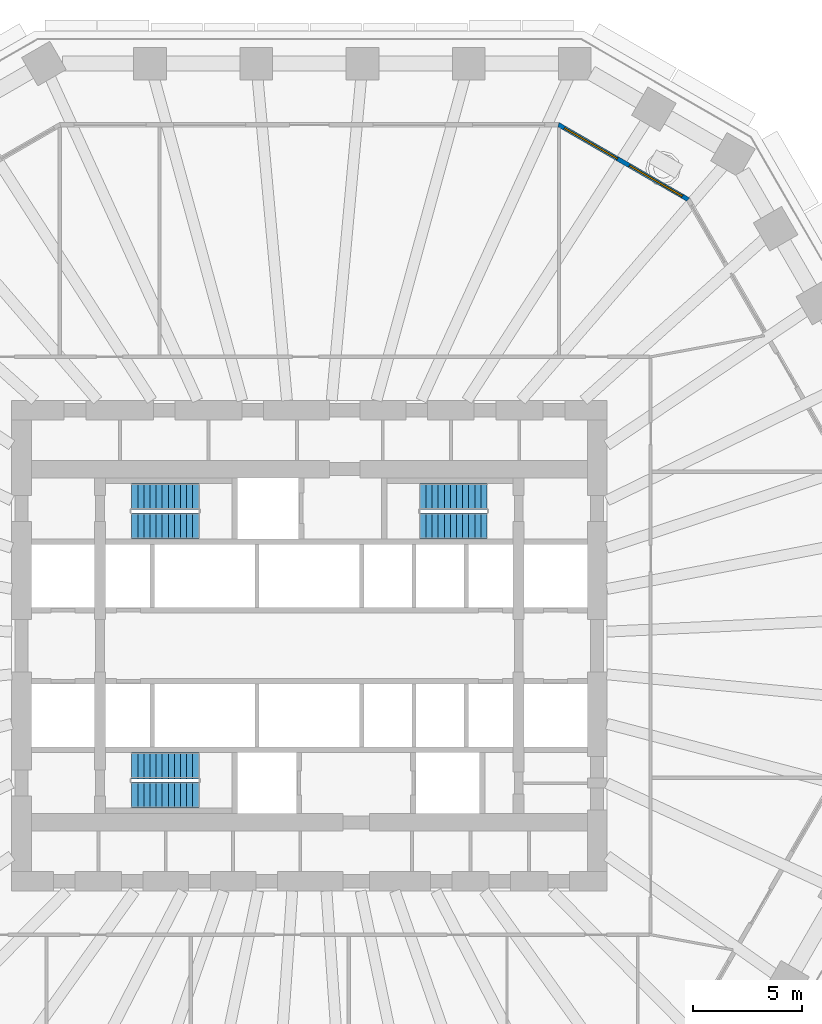
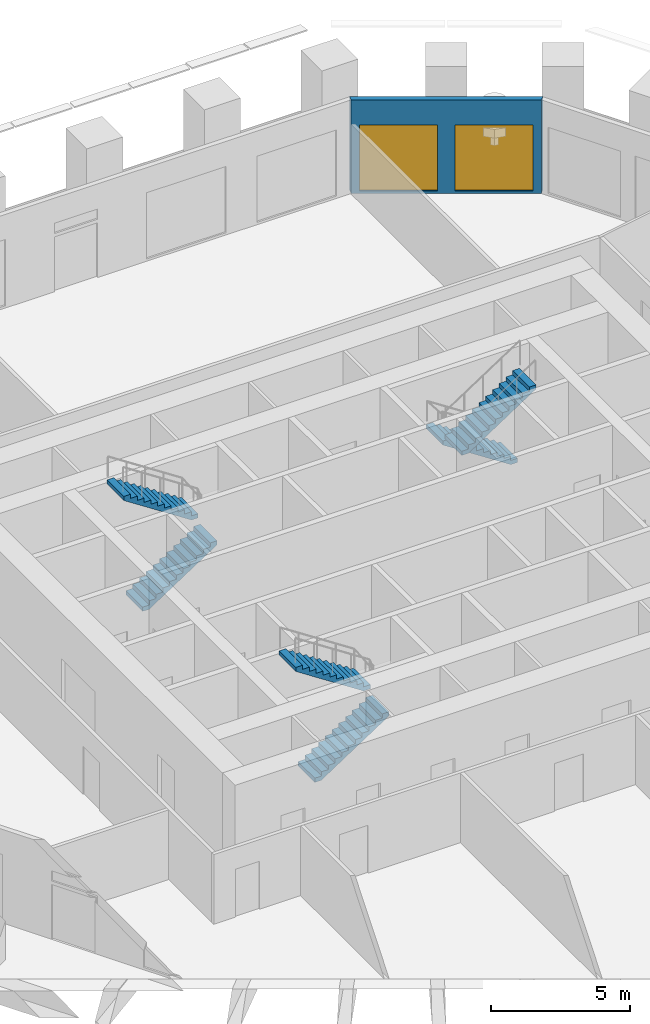
# One storey, part 8 of 12: 6 stair flights, 2 windows, 1 wall, 2 openings, 3 elements without a shape of their own.
"""IFC4 building model written with IfcOpenShell, lengths in metres."""

from ifc_helpers import new_model, si_unit, direction, frame, frame_2d, origin, place, context, subcontext, project, spatial, polyline, rectangle, outline, extrude, material, layer, layer_set, type_object, element, fill, aggregate, save


model = new_model("IFC4")

# Units and contexts
model_context = context("Model", 3, precision=1e-05, world=origin(), true_north=direction((0.0, 1.0)))
body_context = subcontext(model_context, "Body", "Model", "MODEL_VIEW")
ifc_project = project(units=[si_unit("LENGTHUNIT", "METRE"), si_unit("AREAUNIT", "SQUARE_METRE"), si_unit("VOLUMEUNIT", "CUBIC_METRE"), si_unit("PLANEANGLEUNIT", "RADIAN"), si_unit("MASSUNIT", "GRAM", prefix="KILO")], contexts=[model_context])

# Site, building, storey
site_placement = place(None, origin())
site = spatial("IfcSite", under=ifc_project, at=site_placement, CompositionType="ELEMENT")
building_placement = place(site_placement, origin())
building = spatial("IfcBuilding", under=site, at=building_placement, Name="Frailejon Research Tower", CompositionType="ELEMENT")
storey_placement = place(building_placement, frame((0.0, 0.0, 58.60009765625)))
storey = spatial("IfcBuildingStorey", under=building, at=storey_placement, Name="L13", CompositionType="ELEMENT", Elevation=58.60009765625)

# Wall, openings, windows
ifc_material_1 = material(Name="Concrete C40/50 precast window wall panel", Category="concrete")
ifc_layer_1 = layer(ifc_material_1, 0.199951171875)
ifc_layer_set_1 = layer_set([ifc_layer_1], Name="Window wall 200")
wall_type = type_object("IfcWallType", Name="Window wall 200", PredefinedType="SOLIDWALL", material=ifc_layer_set_1)
wall_placement = place(storey_placement, frame((17.3798828125, 20.462646484375, 0.0), z_axis=(0.0, 0.0, 1.0), x_axis=(-0.866029458321, 0.49999297727, 0.0)))
wall = element("IfcWall", 1, at=wall_placement, inside=storey, type_object=wall_type, Name="Exterior wall L13", PredefinedType="SOLIDWALL", context=body_context, shape_type="SweptSolid", body=[
    extrude(outline(polyline([(-0.02685546875, -0.10009765625), (1.1279296875, -0.10009765625), (2.282470703125, -0.10009765625), (3.437255859375, -0.10009765625), (4.592041015625, -0.10009765625), (5.74658203125, -0.10009765625), (6.9013671875, -0.10009765625), (6.84765625, 0.10009765625), (5.7109375, 0.10009765625), (4.573974609375, 0.10009765625), (3.437255859375, 0.10009765625), (2.300537109375, 0.10009765625), (1.16357421875, 0.10009765625), (0.02685546875, 0.10009765625), (-0.02685546875, -0.10009765625)])), origin(), (0.0, 0.0, 1.0), 4.099853515625),
])
opening_1_placement = place(wall_placement, frame((0.318603515625, 0.0, 0.10009765625)))
opening_1 = element("IfcOpeningElement", 2, at=opening_1_placement, cuts=wall, Name="Opening W3", PredefinedType="OPENING", context=body_context, shape_type="SweptSolid", body=[
    extrude(rectangle(XDim=2.800048828125, YDim=2.89990234375, at=frame_2d((1.39990234375, 1.449951171875))), frame((0.0, 0.10986328125, 0.0), z_axis=(0.0, -1.0, 0.0), x_axis=(1.0, 0.0, 0.0)), (0.0, 0.0, 1.0), 0.219970703125),
])
opening_2_placement = place(wall_placement, frame((3.756103515625, 0.0, 0.10009765625)))
opening_2 = element("IfcOpeningElement", 3, at=opening_2_placement, cuts=wall, Name="Opening W3", PredefinedType="OPENING", context=body_context, shape_type="SweptSolid", body=[
    extrude(rectangle(XDim=2.800048828125, YDim=2.89990234375, at=frame_2d((1.39990234375, 1.449951171875))), frame((0.0, 0.10986328125, 0.0), z_axis=(0.0, -1.0, 0.0), x_axis=(1.0, 0.0, 0.0)), (0.0, 0.0, 1.0), 0.219970703125),
])
ifc_material_2 = material(Name="Aluminium framed double glazing", Category="aluminium")
window_type = type_object("IfcWindowType", Name="Window 2800x2900", PartitioningType="SINGLE_PANEL", PredefinedType="WINDOW", material=ifc_material_2)
window_1_placement = place(opening_1_placement, origin())
window_1 = element("IfcWindow", 4, at=window_1_placement, inside=storey, type_object=window_type, Name="Window L13", OverallHeight=2.89990234375, OverallWidth=2.800048828125, PartitioningType="SINGLE_PANEL", PredefinedType="WINDOW", context=body_context, shape_type="SweptSolid", body=[
    extrude(rectangle(XDim=2.800048828125, YDim=2.89990234375, at=frame_2d((1.39990234375, 1.449951171875))), frame((0.0, 0.030029296875, 0.0), z_axis=(0.0, -1.0, 0.0), x_axis=(1.0, 0.0, 0.0)), (0.0, 0.0, 1.0), 0.06005859375),
])
fill(opening_1, window_1)
window_2_placement = place(opening_2_placement, origin())
window_2 = element("IfcWindow", 5, at=window_2_placement, inside=storey, type_object=window_type, Name="Window L13", OverallHeight=2.89990234375, OverallWidth=2.800048828125, PartitioningType="SINGLE_PANEL", PredefinedType="WINDOW", context=body_context, shape_type="SweptSolid", body=[
    extrude(rectangle(XDim=2.800048828125, YDim=2.89990234375, at=frame_2d((1.39990234375, 1.449951171875))), frame((0.0, 0.030029296875, 0.0), z_axis=(0.0, -1.0, 0.0), x_axis=(1.0, 0.0, 0.0)), (0.0, 0.0, 1.0), 0.06005859375),
])
fill(opening_2, window_2)

# Stair, stair flights
ifc_material_3 = material(Name="Concrete C50/60", Category="concrete")
stair_type = type_object("IfcStairType", Name="Exit stair 24 risers", PredefinedType="HALF_TURN_STAIR", material=ifc_material_3)
stair_1_placement = place(storey_placement, origin())
stair_1 = element("IfcStair", 6, at=stair_1_placement, inside=storey, type_object=stair_type, Name="L13 Exit stair ST1", PredefinedType="HALF_TURN_STAIR")
ifc_material_4 = material(Name="Concrete C50/60", Category="concrete")
ifc_layer_2 = layer(ifc_material_4, 0.14990234375)
ifc_layer_set_2 = layer_set([ifc_layer_2], Name="Stair flight 12 risers")
stair_flight_type = type_object("IfcStairFlightType", Name="Stair flight 12 risers", PredefinedType="STRAIGHT", material=ifc_layer_set_2)
stair_flight_1_placement = place(storey_placement, frame((-8.14990234375, 5.5, 0.0), z_axis=(0.0, 0.0, 1.0), x_axis=(1.0, 0.0, 0.0)))
stair_flight_1 = element("IfcStairFlight", 7, at=stair_flight_1_placement, type_object=stair_flight_type, Name="ST1 flight 1", NumberOfRisers=12, NumberOfTreads=11, PredefinedType="STRAIGHT", RiserHeight=0.183333333, TreadLength=0.28, context=body_context, shape_type="SweptSolid", body=[
    extrude(outline(polyline([(0.0, 0.0), (0.0, 0.183349609375), (0.280029296875, 0.183349609375), (0.280029296875, 0.36669921875), (0.56005859375, 0.36669921875), (0.56005859375, 0.550048828125), (0.840087890625, 0.550048828125), (0.840087890625, 0.7333984375), (1.1201171875, 0.7333984375), (1.1201171875, 0.916748046875), (1.39990234375, 0.916748046875), (1.39990234375, 1.10009765625), (1.679931640625, 1.10009765625), (1.679931640625, 1.283447265625), (1.9599609375, 1.283447265625), (1.9599609375, 1.466552734375), (2.239990234375, 1.466552734375), (2.239990234375, 1.64990234375), (2.52001953125, 1.64990234375), (2.52001953125, 1.833251953125), (2.800048828125, 1.833251953125), (2.800048828125, 2.0166015625), (3.080078125, 2.0166015625), (3.080078125, 2.199951171875), (3.080078125, 1.83740234375), (0.273681640625, 0.0), (0.0, 0.0)])), frame((0.0, 0.60009765625, 0.0), z_axis=(0.0, -1.0, 0.0), x_axis=(1.0, 0.0, 0.0)), (0.0, 0.0, 1.0), 1.199951171875),
])
stair_flight_2_placement = place(storey_placement, frame((-5.070068359375, 6.85009765625, 2.199951171875), z_axis=(0.0, 0.0, 1.0), x_axis=(-1.0, 0.0, 0.0)))
stair_flight_2 = element("IfcStairFlight", 8, at=stair_flight_2_placement, type_object=stair_flight_type, Name="ST1 flight 2", NumberOfRisers=12, NumberOfTreads=11, PredefinedType="STRAIGHT", RiserHeight=0.183333333, TreadLength=0.28, context=body_context, shape_type="SweptSolid", body=[
    extrude(outline(polyline([(0.0, 0.0), (0.0, 0.183349609375), (0.280029296875, 0.183349609375), (0.280029296875, 0.36669921875), (0.56005859375, 0.36669921875), (0.56005859375, 0.550048828125), (0.840087890625, 0.550048828125), (0.840087890625, 0.7333984375), (1.1201171875, 0.7333984375), (1.1201171875, 0.916748046875), (1.39990234375, 0.916748046875), (1.39990234375, 1.10009765625), (1.679931640625, 1.10009765625), (1.679931640625, 1.283447265625), (1.9599609375, 1.283447265625), (1.9599609375, 1.466552734375), (2.239990234375, 1.466552734375), (2.239990234375, 1.64990234375), (2.52001953125, 1.64990234375), (2.52001953125, 1.833251953125), (2.800048828125, 1.833251953125), (2.800048828125, 2.0166015625), (3.080078125, 2.0166015625), (3.080078125, 2.199951171875), (3.080078125, 1.83740234375), (0.273681640625, 0.0), (0.0, 0.0)])), frame((0.0, 0.60009765625, 0.0), z_axis=(0.0, -1.0, 0.0), x_axis=(1.0, 0.0, 0.0)), (0.0, 0.0, 1.0), 1.199951171875),
])
aggregate(stair_1, [stair_flight_1, stair_flight_2])

stair_2_placement = place(storey_placement, origin())
stair_2 = element("IfcStair", 9, at=stair_2_placement, inside=storey, type_object=stair_type, Name="L13 Exit stair ST2", PredefinedType="HALF_TURN_STAIR")
stair_flight_3_placement = place(storey_placement, frame((-8.14990234375, -6.85009765625, 0.0), z_axis=(0.0, 0.0, 1.0), x_axis=(1.0, 0.0, 0.0)))
stair_flight_3 = element("IfcStairFlight", 10, at=stair_flight_3_placement, type_object=stair_flight_type, Name="ST2 flight 1", NumberOfRisers=12, NumberOfTreads=11, PredefinedType="STRAIGHT", RiserHeight=0.183333333, TreadLength=0.28, context=body_context, shape_type="SweptSolid", body=[
    extrude(outline(polyline([(0.0, 0.0), (0.0, 0.183349609375), (0.280029296875, 0.183349609375), (0.280029296875, 0.36669921875), (0.56005859375, 0.36669921875), (0.56005859375, 0.550048828125), (0.840087890625, 0.550048828125), (0.840087890625, 0.7333984375), (1.1201171875, 0.7333984375), (1.1201171875, 0.916748046875), (1.39990234375, 0.916748046875), (1.39990234375, 1.10009765625), (1.679931640625, 1.10009765625), (1.679931640625, 1.283447265625), (1.9599609375, 1.283447265625), (1.9599609375, 1.466552734375), (2.239990234375, 1.466552734375), (2.239990234375, 1.64990234375), (2.52001953125, 1.64990234375), (2.52001953125, 1.833251953125), (2.800048828125, 1.833251953125), (2.800048828125, 2.0166015625), (3.080078125, 2.0166015625), (3.080078125, 2.199951171875), (3.080078125, 1.83740234375), (0.273681640625, 0.0), (0.0, 0.0)])), frame((0.0, 0.60009765625, 0.0), z_axis=(0.0, -1.0, 0.0), x_axis=(1.0, 0.0, 0.0)), (0.0, 0.0, 1.0), 1.199951171875),
])
stair_flight_4_placement = place(storey_placement, frame((-5.070068359375, -5.5, 2.199951171875), z_axis=(0.0, 0.0, 1.0), x_axis=(-1.0, 0.0, 0.0)))
stair_flight_4 = element("IfcStairFlight", 11, at=stair_flight_4_placement, type_object=stair_flight_type, Name="ST2 flight 2", NumberOfRisers=12, NumberOfTreads=11, PredefinedType="STRAIGHT", RiserHeight=0.183333333, TreadLength=0.28, context=body_context, shape_type="SweptSolid", body=[
    extrude(outline(polyline([(0.0, 0.0), (0.0, 0.183349609375), (0.280029296875, 0.183349609375), (0.280029296875, 0.36669921875), (0.56005859375, 0.36669921875), (0.56005859375, 0.550048828125), (0.840087890625, 0.550048828125), (0.840087890625, 0.7333984375), (1.1201171875, 0.7333984375), (1.1201171875, 0.916748046875), (1.39990234375, 0.916748046875), (1.39990234375, 1.10009765625), (1.679931640625, 1.10009765625), (1.679931640625, 1.283447265625), (1.9599609375, 1.283447265625), (1.9599609375, 1.466552734375), (2.239990234375, 1.466552734375), (2.239990234375, 1.64990234375), (2.52001953125, 1.64990234375), (2.52001953125, 1.833251953125), (2.800048828125, 1.833251953125), (2.800048828125, 2.0166015625), (3.080078125, 2.0166015625), (3.080078125, 2.199951171875), (3.080078125, 1.83740234375), (0.273681640625, 0.0), (0.0, 0.0)])), frame((0.0, 0.60009765625, 0.0), z_axis=(0.0, -1.0, 0.0), x_axis=(1.0, 0.0, 0.0)), (0.0, 0.0, 1.0), 1.199951171875),
])
aggregate(stair_2, [stair_flight_3, stair_flight_4])

stair_3_placement = place(storey_placement, origin())
stair_3 = element("IfcStair", 12, at=stair_3_placement, inside=storey, type_object=stair_type, Name="L13 Exit stair ST3", PredefinedType="HALF_TURN_STAIR")
stair_flight_5_placement = place(storey_placement, frame((8.14990234375, 6.85009765625, 0.0), z_axis=(0.0, 0.0, 1.0), x_axis=(-1.0, 0.0, 0.0)))
stair_flight_5 = element("IfcStairFlight", 13, at=stair_flight_5_placement, type_object=stair_flight_type, Name="ST3 flight 1", NumberOfRisers=12, NumberOfTreads=11, PredefinedType="STRAIGHT", RiserHeight=0.183333333, TreadLength=0.28, context=body_context, shape_type="SweptSolid", body=[
    extrude(outline(polyline([(0.0, 0.0), (0.0, 0.183349609375), (0.280029296875, 0.183349609375), (0.280029296875, 0.36669921875), (0.56005859375, 0.36669921875), (0.56005859375, 0.550048828125), (0.840087890625, 0.550048828125), (0.840087890625, 0.7333984375), (1.1201171875, 0.7333984375), (1.1201171875, 0.916748046875), (1.39990234375, 0.916748046875), (1.39990234375, 1.10009765625), (1.679931640625, 1.10009765625), (1.679931640625, 1.283447265625), (1.9599609375, 1.283447265625), (1.9599609375, 1.466552734375), (2.239990234375, 1.466552734375), (2.239990234375, 1.64990234375), (2.52001953125, 1.64990234375), (2.52001953125, 1.833251953125), (2.800048828125, 1.833251953125), (2.800048828125, 2.0166015625), (3.080078125, 2.0166015625), (3.080078125, 2.199951171875), (3.080078125, 1.83740234375), (0.273681640625, 0.0), (0.0, 0.0)])), frame((0.0, 0.60009765625, 0.0), z_axis=(0.0, -1.0, 0.0), x_axis=(1.0, 0.0, 0.0)), (0.0, 0.0, 1.0), 1.199951171875),
])
stair_flight_6_placement = place(storey_placement, frame((5.070068359375, 5.5, 2.199951171875), z_axis=(0.0, 0.0, 1.0), x_axis=(1.0, 0.0, 0.0)))
stair_flight_6 = element("IfcStairFlight", 14, at=stair_flight_6_placement, type_object=stair_flight_type, Name="ST3 flight 2", NumberOfRisers=12, NumberOfTreads=11, PredefinedType="STRAIGHT", RiserHeight=0.183333333, TreadLength=0.28, context=body_context, shape_type="SweptSolid", body=[
    extrude(outline(polyline([(0.0, 0.0), (0.0, 0.183349609375), (0.280029296875, 0.183349609375), (0.280029296875, 0.36669921875), (0.56005859375, 0.36669921875), (0.56005859375, 0.550048828125), (0.840087890625, 0.550048828125), (0.840087890625, 0.7333984375), (1.1201171875, 0.7333984375), (1.1201171875, 0.916748046875), (1.39990234375, 0.916748046875), (1.39990234375, 1.10009765625), (1.679931640625, 1.10009765625), (1.679931640625, 1.283447265625), (1.9599609375, 1.283447265625), (1.9599609375, 1.466552734375), (2.239990234375, 1.466552734375), (2.239990234375, 1.64990234375), (2.52001953125, 1.64990234375), (2.52001953125, 1.833251953125), (2.800048828125, 1.833251953125), (2.800048828125, 2.0166015625), (3.080078125, 2.0166015625), (3.080078125, 2.199951171875), (3.080078125, 1.83740234375), (0.273681640625, 0.0), (0.0, 0.0)])), frame((0.0, 0.60009765625, 0.0), z_axis=(0.0, -1.0, 0.0), x_axis=(1.0, 0.0, 0.0)), (0.0, 0.0, 1.0), 1.199951171875),
])
aggregate(stair_3, [stair_flight_5, stair_flight_6])

save(model, "model.ifc")
